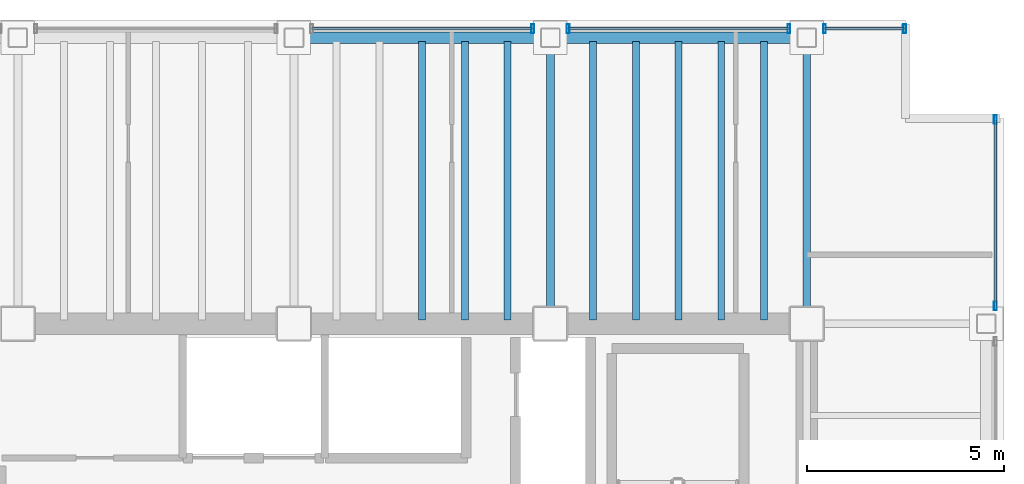
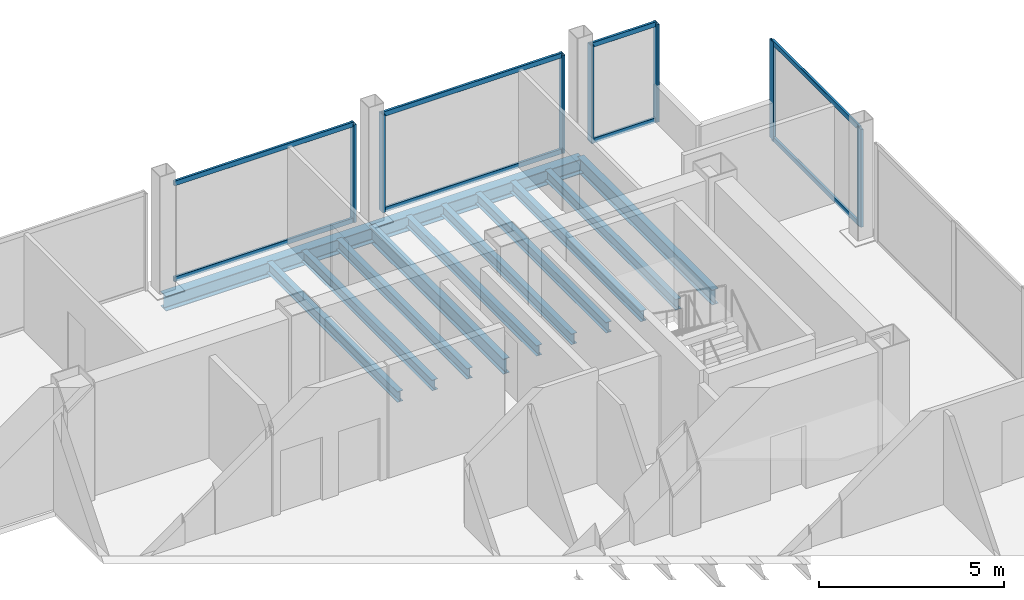
# One storey, part 14 of 19: 15 members, 12 beams, 4 elements without a shape of their own.
"""IFC4 building model written with IfcOpenShell, lengths in metres."""

from ifc_helpers import new_model, si_unit, direction, frame, origin, origin_2d, place, context, subcontext, project, spatial, hollow_rectangle, i_section, extrude, material, material_profile, profile_set, type_object, element, aggregate, save


model = new_model("IFC4")

# Units and contexts
model_context = context("Model", 3, precision=1e-05, world=origin(), true_north=direction((0.0, 1.0)))
body_context = subcontext(model_context, "Body", "Model", "MODEL_VIEW")
ifc_project = project(units=[si_unit("LENGTHUNIT", "METRE"), si_unit("AREAUNIT", "SQUARE_METRE"), si_unit("VOLUMEUNIT", "CUBIC_METRE"), si_unit("PLANEANGLEUNIT", "RADIAN"), si_unit("MASSUNIT", "GRAM", prefix="KILO")], contexts=[model_context])

# Site, building, storey
site_placement = place(None, origin())
site = spatial("IfcSite", under=ifc_project, at=site_placement, CompositionType="ELEMENT")
building_placement = place(site_placement, origin())
building = spatial("IfcBuilding", under=site, at=building_placement, Name="Noeulbin Bourse Tower", CompositionType="ELEMENT")
storey_placement = place(building_placement, frame((0.0, 0.0, 150.0)))
storey = spatial("IfcBuildingStorey", under=building, at=storey_placement, Name="L37", CompositionType="ELEMENT", Elevation=150.0)

# Beams
ifc_material_1 = material(Name="Steel S355", Category="steel")
ifc_material_profile_1 = material_profile(ifc_material_1, i_section(OverallWidth=0.199951171875, OverallDepth=0.5, WebThickness=0.010009765625, FlangeThickness=0.01611328125, FilletRadius=0.02001953125, at=origin_2d()), Name="H-500x200x10x16", Category="LoadBearing")
ifc_profile_set_1 = profile_set([ifc_material_profile_1], Name="Steel S355")
beam_type_1 = type_object("IfcBeamType", Name="BM-GRD-500", PredefinedType="USERDEFINED", material=ifc_profile_set_1)
for number, where, z_axis, x_axis, name in (
    (1, (37.5, 38.300048828125, -0.429931640625), (0.0, 1.0, 0.0), (-1.0, 0.0, 0.0), "Tower Primary Girder NS L37-4.4"),
    (2, (44.0, 38.300048828125, -0.429931640625), (0.0, 1.0, 0.0), (-1.0, 0.0, 0.0), "Tower Primary Girder NS L37-5.4"),
):
    element("IfcBeam", number, at=place(storey_placement, frame(where, z_axis=z_axis, x_axis=x_axis)), inside=storey, type_object=beam_type_1, Name=name, ObjectType="GIRDER", PredefinedType="USERDEFINED", context=body_context, shape_type="SweptSolid", body=[
        extrude(i_section(OverallWidth=0.199951171875, OverallDepth=0.5, WebThickness=0.010009765625, FlangeThickness=0.01611328125, FilletRadius=0.02001953125, at=origin_2d()), origin(), (0.0, 0.0, 1.0), 7.25),
    ])
ifc_material_profile_2 = material_profile(ifc_material_1, i_section(OverallWidth=0.175048828125, OverallDepth=0.35009765625, WebThickness=0.007080078125, FlangeThickness=0.010986328125, FilletRadius=0.013916015625, at=origin_2d()), Name="H-350x175x7x11", Category="LoadBearing")
ifc_profile_set_2 = profile_set([ifc_material_profile_2], Name="Steel S355")
beam_type_2 = type_object("IfcBeamType", Name="BM-JST-350", PredefinedType="JOIST", material=ifc_profile_set_2)
for number, where, z_axis, x_axis, name in (
    (3, (34.25, 38.39990234375, -0.35498046875), (0.0, 1.0, 0.0), (-1.0, 0.0, 0.0), "Tower Composite Joist L37-48"),
    (4, (35.333251953125, 38.39990234375, -0.35498046875), (0.0, 1.0, 0.0), (-1.0, 0.0, 0.0), "Tower Composite Joist L37-51"),
    (5, (36.416748046875, 38.39990234375, -0.35498046875), (0.0, 1.0, 0.0), (-1.0, 0.0, 0.0), "Tower Composite Joist L37-54"),
    (6, (38.583251953125, 38.39990234375, -0.35498046875), (0.0, 1.0, 0.0), (-1.0, 0.0, 0.0), "Tower Composite Joist L37-57"),
    (7, (39.666748046875, 38.39990234375, -0.35498046875), (0.0, 1.0, 0.0), (-1.0, 0.0, 0.0), "Tower Composite Joist L37-60"),
    (8, (40.75, 38.39990234375, -0.35498046875), (0.0, 1.0, 0.0), (-1.0, 0.0, 0.0), "Tower Composite Joist L37-63"),
    (9, (41.833251953125, 38.39990234375, -0.35498046875), (0.0, 1.0, 0.0), (-1.0, 0.0, 0.0), "Tower Composite Joist L37-66"),
    (10, (42.916748046875, 38.39990234375, -0.35498046875), (0.0, 1.0, 0.0), (-1.0, 0.0, 0.0), "Tower Composite Joist L37-69"),
):
    element("IfcBeam", number, at=place(storey_placement, frame(where, z_axis=z_axis, x_axis=x_axis)), inside=storey, type_object=beam_type_2, Name=name, PredefinedType="JOIST", context=body_context, shape_type="SweptSolid", body=[
        extrude(i_section(OverallWidth=0.175048828125, OverallDepth=0.35009765625, WebThickness=0.007080078125, FlangeThickness=0.010986328125, FilletRadius=0.013916015625, at=origin_2d()), origin(), (0.0, 0.0, 1.0), 7.050048828125),
    ])
ifc_material_profile_3 = material_profile(ifc_material_1, i_section(OverallWidth=0.300048828125, OverallDepth=0.488037109375, WebThickness=0.010986328125, FlangeThickness=0.01806640625, FilletRadius=0.02197265625, at=origin_2d()), Name="H-488x300x11x18", Category="LoadBearing")
ifc_profile_set_3 = profile_set([ifc_material_profile_3], Name="Steel S355")
beam_type_3 = type_object("IfcBeamType", Name="BM-SPN-488", PredefinedType="SPANDREL", material=ifc_profile_set_3)
for number, where, z_axis, x_axis, name in (
    (11, (31.0, 45.550048828125, -0.424072265625), (1.0, 0.0, 0.0), (0.0, 1.0, 0.0), "North Spandrel L37-3"),
    (12, (37.5, 45.550048828125, -0.424072265625), (1.0, 0.0, 0.0), (0.0, 1.0, 0.0), "North Spandrel L37-4"),
):
    element("IfcBeam", number, at=place(storey_placement, frame(where, z_axis=z_axis, x_axis=x_axis)), inside=storey, type_object=beam_type_3, Name=name, PredefinedType="SPANDREL", context=body_context, shape_type="SweptSolid", body=[
        extrude(i_section(OverallWidth=0.300048828125, OverallDepth=0.488037109375, WebThickness=0.010986328125, FlangeThickness=0.01806640625, FilletRadius=0.02197265625, at=origin_2d()), origin(), (0.0, 0.0, 1.0), 6.5),
    ])

# Curtain wall, member
ifc_material_2 = material(Name="Dark Tinted Triple Glazing", Category="glass")
curtain_wall_type = type_object("IfcCurtainWallType", Name="CW-SYS-3", PredefinedType="NOTDEFINED", material=ifc_material_2)
curtain_wall_1_placement = place(storey_placement, origin())
curtain_wall_1 = element("IfcCurtainWall", 13, at=curtain_wall_1_placement, inside=storey, type_object=curtain_wall_type, Name="Unitised Curtain Wall CW-L37-N-S4", PredefinedType="NOTDEFINED")
ifc_material_3 = material(Name="Anodised Aluminium 6063-T6", Category="aluminium")
ifc_material_profile_4 = material_profile(ifc_material_3, hollow_rectangle(XDim=0.074951171875, YDim=0.219970703125, WallThickness=0.0048828125, InnerFilletRadius=0.00244140625, OuterFilletRadius=0.0048828125, at=origin_2d()), Name="ALU-MULL-75x220x5", Category="LoadBearing")
ifc_profile_set_4 = profile_set([ifc_material_profile_4], Name="Anodised Aluminium 6063-T6")
member_type_1 = type_object("IfcMemberType", Name="CW-SYS-3-MUL", PredefinedType="MULLION", material=ifc_profile_set_4)
member_1_placement = place(storey_placement, frame((37.050048828125, 45.780029296875, -0.02001953125), z_axis=(0.0, 0.0, 1.0), x_axis=(1.0, 0.0, 0.0)))
member_1 = element("IfcMember", 14, at=member_1_placement, type_object=member_type_1, Name="Curtain Wall Mullion CW-L37-N-S4-M01", PredefinedType="MULLION", context=body_context, shape_type="SweptSolid", body=[
    extrude(hollow_rectangle(XDim=0.074951171875, YDim=0.219970703125, WallThickness=0.0048828125, InnerFilletRadius=0.00244140625, OuterFilletRadius=0.0048828125, at=origin_2d()), origin(), (0.0, 0.0, 1.0), 3.219970703125),
])

# Curtain wall, members
curtain_wall_2_placement = place(storey_placement, origin())
curtain_wall_2 = element("IfcCurtainWall", 15, at=curtain_wall_2_placement, inside=storey, type_object=curtain_wall_type, Name="Unitised Curtain Wall CW-L37-N-S5", PredefinedType="NOTDEFINED")
member_2_placement = place(storey_placement, frame((37.949951171875, 45.780029296875, -0.02001953125), z_axis=(0.0, 0.0, 1.0), x_axis=(1.0, 0.0, 0.0)))
member_2 = element("IfcMember", 16, at=member_2_placement, type_object=member_type_1, Name="Curtain Wall Mullion CW-L37-N-S5-M00", PredefinedType="MULLION", context=body_context, shape_type="SweptSolid", body=[
    extrude(hollow_rectangle(XDim=0.074951171875, YDim=0.219970703125, WallThickness=0.0048828125, InnerFilletRadius=0.00244140625, OuterFilletRadius=0.0048828125, at=origin_2d()), origin(), (0.0, 0.0, 1.0), 3.219970703125),
])
member_3_placement = place(storey_placement, frame((43.550048828125, 45.780029296875, -0.02001953125), z_axis=(0.0, 0.0, 1.0), x_axis=(1.0, 0.0, 0.0)))
member_3 = element("IfcMember", 17, at=member_3_placement, type_object=member_type_1, Name="Curtain Wall Mullion CW-L37-N-S5-M01", PredefinedType="MULLION", context=body_context, shape_type="SweptSolid", body=[
    extrude(hollow_rectangle(XDim=0.074951171875, YDim=0.219970703125, WallThickness=0.0048828125, InnerFilletRadius=0.00244140625, OuterFilletRadius=0.0048828125, at=origin_2d()), origin(), (0.0, 0.0, 1.0), 3.219970703125),
])

curtain_wall_3_placement = place(storey_placement, origin())
curtain_wall_3 = element("IfcCurtainWall", 18, at=curtain_wall_3_placement, inside=storey, type_object=curtain_wall_type, Name="Unitised Curtain Wall CW-L37-N-S6", PredefinedType="NOTDEFINED")
member_4_placement = place(storey_placement, frame((44.449951171875, 45.780029296875, -0.02001953125), z_axis=(0.0, 0.0, 1.0), x_axis=(1.0, 0.0, 0.0)))
member_4 = element("IfcMember", 19, at=member_4_placement, type_object=member_type_1, Name="Curtain Wall Mullion CW-L37-N-S6-M00", PredefinedType="MULLION", context=body_context, shape_type="SweptSolid", body=[
    extrude(hollow_rectangle(XDim=0.074951171875, YDim=0.219970703125, WallThickness=0.0048828125, InnerFilletRadius=0.00244140625, OuterFilletRadius=0.0048828125, at=origin_2d()), origin(), (0.0, 0.0, 1.0), 3.219970703125),
])
member_5_placement = place(storey_placement, frame((46.47998046875, 45.780029296875, -0.02001953125), z_axis=(0.0, 0.0, 1.0), x_axis=(1.0, 0.0, 0.0)))
member_5 = element("IfcMember", 20, at=member_5_placement, type_object=member_type_1, Name="Curtain Wall Mullion CW-L37-N-S6-M01", PredefinedType="MULLION", context=body_context, shape_type="SweptSolid", body=[
    extrude(hollow_rectangle(XDim=0.074951171875, YDim=0.219970703125, WallThickness=0.0048828125, InnerFilletRadius=0.00244140625, OuterFilletRadius=0.0048828125, at=origin_2d()), origin(), (0.0, 0.0, 1.0), 3.219970703125),
])

curtain_wall_4_placement = place(storey_placement, origin())
curtain_wall_4 = element("IfcCurtainWall", 21, at=curtain_wall_4_placement, inside=storey, type_object=curtain_wall_type, Name="Unitised Curtain Wall CW-L37-E-S3", PredefinedType="NOTDEFINED")
member_6_placement = place(storey_placement, frame((48.780029296875, 38.75, -0.02001953125), z_axis=(0.0, 0.0, 1.0), x_axis=(1.0, 0.0, 0.0)))
member_6 = element("IfcMember", 22, at=member_6_placement, type_object=member_type_1, Name="Curtain Wall Mullion CW-L37-E-S3-M00", PredefinedType="MULLION", context=body_context, shape_type="SweptSolid", body=[
    extrude(hollow_rectangle(XDim=0.074951171875, YDim=0.219970703125, WallThickness=0.0048828125, InnerFilletRadius=0.00244140625, OuterFilletRadius=0.0048828125, at=origin_2d()), origin(), (0.0, 0.0, 1.0), 3.219970703125),
])
member_7_placement = place(storey_placement, frame((48.780029296875, 43.47998046875, -0.02001953125), z_axis=(0.0, 0.0, 1.0), x_axis=(1.0, 0.0, 0.0)))
member_7 = element("IfcMember", 23, at=member_7_placement, type_object=member_type_1, Name="Curtain Wall Mullion CW-L37-E-S3-M01", PredefinedType="MULLION", context=body_context, shape_type="SweptSolid", body=[
    extrude(hollow_rectangle(XDim=0.074951171875, YDim=0.219970703125, WallThickness=0.0048828125, InnerFilletRadius=0.00244140625, OuterFilletRadius=0.0048828125, at=origin_2d()), origin(), (0.0, 0.0, 1.0), 3.219970703125),
])

# Member
ifc_material_profile_5 = material_profile(ifc_material_3, hollow_rectangle(XDim=0.074951171875, YDim=0.159912109375, WallThickness=0.0048828125, InnerFilletRadius=0.00244140625, OuterFilletRadius=0.0048828125, at=origin_2d()), Name="ALU-TRAN-75x160x5", Category="LoadBearing")
ifc_profile_set_5 = profile_set([ifc_material_profile_5], Name="Anodised Aluminium 6063-T6")
member_type_2 = type_object("IfcMemberType", Name="CW-SYS-3-TRN", PredefinedType="USERDEFINED", material=ifc_profile_set_5)
member_8_placement = place(storey_placement, frame((31.4599609375, 45.780029296875, 0.010009765625), z_axis=(1.0, 0.0, 0.0), x_axis=(0.0, 1.0, 0.0)))
member_8 = element("IfcMember", 24, at=member_8_placement, type_object=member_type_2, Name="Curtain Wall Transom CW-L37-N-S4-T00", ObjectType="TRANSOM", PredefinedType="USERDEFINED", context=body_context, shape_type="SweptSolid", body=[
    extrude(hollow_rectangle(XDim=0.074951171875, YDim=0.159912109375, WallThickness=0.0048828125, InnerFilletRadius=0.00244140625, OuterFilletRadius=0.0048828125, at=origin_2d()), origin(), (0.0, 0.0, 1.0), 5.580078125),
])

member_9_placement = place(storey_placement, frame((31.4599609375, 45.780029296875, 3.169921875), z_axis=(1.0, 0.0, 0.0), x_axis=(0.0, 1.0, 0.0)))
member_9 = element("IfcMember", 25, at=member_9_placement, type_object=member_type_2, Name="Curtain Wall Transom CW-L37-N-S4-T01", ObjectType="TRANSOM", PredefinedType="USERDEFINED", context=body_context, shape_type="SweptSolid", body=[
    extrude(hollow_rectangle(XDim=0.074951171875, YDim=0.159912109375, WallThickness=0.0048828125, InnerFilletRadius=0.00244140625, OuterFilletRadius=0.0048828125, at=origin_2d()), origin(), (0.0, 0.0, 1.0), 5.580078125),
])

aggregate(curtain_wall_1, [member_1, member_8, member_9])

member_10_placement = place(storey_placement, frame((37.9599609375, 45.780029296875, 0.010009765625), z_axis=(1.0, 0.0, 0.0), x_axis=(0.0, 1.0, 0.0)))
member_10 = element("IfcMember", 26, at=member_10_placement, type_object=member_type_2, Name="Curtain Wall Transom CW-L37-N-S5-T00", ObjectType="TRANSOM", PredefinedType="USERDEFINED", context=body_context, shape_type="SweptSolid", body=[
    extrude(hollow_rectangle(XDim=0.074951171875, YDim=0.159912109375, WallThickness=0.0048828125, InnerFilletRadius=0.00244140625, OuterFilletRadius=0.0048828125, at=origin_2d()), origin(), (0.0, 0.0, 1.0), 5.580078125),
])

member_11_placement = place(storey_placement, frame((37.9599609375, 45.780029296875, 3.169921875), z_axis=(1.0, 0.0, 0.0), x_axis=(0.0, 1.0, 0.0)))
member_11 = element("IfcMember", 27, at=member_11_placement, type_object=member_type_2, Name="Curtain Wall Transom CW-L37-N-S5-T01", ObjectType="TRANSOM", PredefinedType="USERDEFINED", context=body_context, shape_type="SweptSolid", body=[
    extrude(hollow_rectangle(XDim=0.074951171875, YDim=0.159912109375, WallThickness=0.0048828125, InnerFilletRadius=0.00244140625, OuterFilletRadius=0.0048828125, at=origin_2d()), origin(), (0.0, 0.0, 1.0), 5.580078125),
])

aggregate(curtain_wall_2, [member_2, member_3, member_10, member_11])

member_12_placement = place(storey_placement, frame((44.4599609375, 45.780029296875, 0.010009765625), z_axis=(1.0, 0.0, 0.0), x_axis=(0.0, 1.0, 0.0)))
member_12 = element("IfcMember", 28, at=member_12_placement, type_object=member_type_2, Name="Curtain Wall Transom CW-L37-N-S6-T00", ObjectType="TRANSOM", PredefinedType="USERDEFINED", context=body_context, shape_type="SweptSolid", body=[
    extrude(hollow_rectangle(XDim=0.074951171875, YDim=0.159912109375, WallThickness=0.0048828125, InnerFilletRadius=0.00244140625, OuterFilletRadius=0.0048828125, at=origin_2d()), origin(), (0.0, 0.0, 1.0), 2.010009765625),
])

member_13_placement = place(storey_placement, frame((44.4599609375, 45.780029296875, 3.169921875), z_axis=(1.0, 0.0, 0.0), x_axis=(0.0, 1.0, 0.0)))
member_13 = element("IfcMember", 29, at=member_13_placement, type_object=member_type_2, Name="Curtain Wall Transom CW-L37-N-S6-T01", ObjectType="TRANSOM", PredefinedType="USERDEFINED", context=body_context, shape_type="SweptSolid", body=[
    extrude(hollow_rectangle(XDim=0.074951171875, YDim=0.159912109375, WallThickness=0.0048828125, InnerFilletRadius=0.00244140625, OuterFilletRadius=0.0048828125, at=origin_2d()), origin(), (0.0, 0.0, 1.0), 2.010009765625),
])

aggregate(curtain_wall_3, [member_4, member_5, member_12, member_13])

member_14_placement = place(storey_placement, frame((48.780029296875, 38.760009765625, 0.010009765625), z_axis=(0.0, 1.0, 0.0), x_axis=(-1.0, 0.0, 0.0)))
member_14 = element("IfcMember", 30, at=member_14_placement, type_object=member_type_2, Name="Curtain Wall Transom CW-L37-E-S3-T00", ObjectType="TRANSOM", PredefinedType="USERDEFINED", context=body_context, shape_type="SweptSolid", body=[
    extrude(hollow_rectangle(XDim=0.074951171875, YDim=0.159912109375, WallThickness=0.0048828125, InnerFilletRadius=0.00244140625, OuterFilletRadius=0.0048828125, at=origin_2d()), origin(), (0.0, 0.0, 1.0), 4.7099609375),
])

member_15_placement = place(storey_placement, frame((48.780029296875, 38.760009765625, 3.169921875), z_axis=(0.0, 1.0, 0.0), x_axis=(-1.0, 0.0, 0.0)))
member_15 = element("IfcMember", 31, at=member_15_placement, type_object=member_type_2, Name="Curtain Wall Transom CW-L37-E-S3-T01", ObjectType="TRANSOM", PredefinedType="USERDEFINED", context=body_context, shape_type="SweptSolid", body=[
    extrude(hollow_rectangle(XDim=0.074951171875, YDim=0.159912109375, WallThickness=0.0048828125, InnerFilletRadius=0.00244140625, OuterFilletRadius=0.0048828125, at=origin_2d()), origin(), (0.0, 0.0, 1.0), 4.7099609375),
])

aggregate(curtain_wall_4, [member_6, member_7, member_14, member_15])

save(model, "model.ifc")
